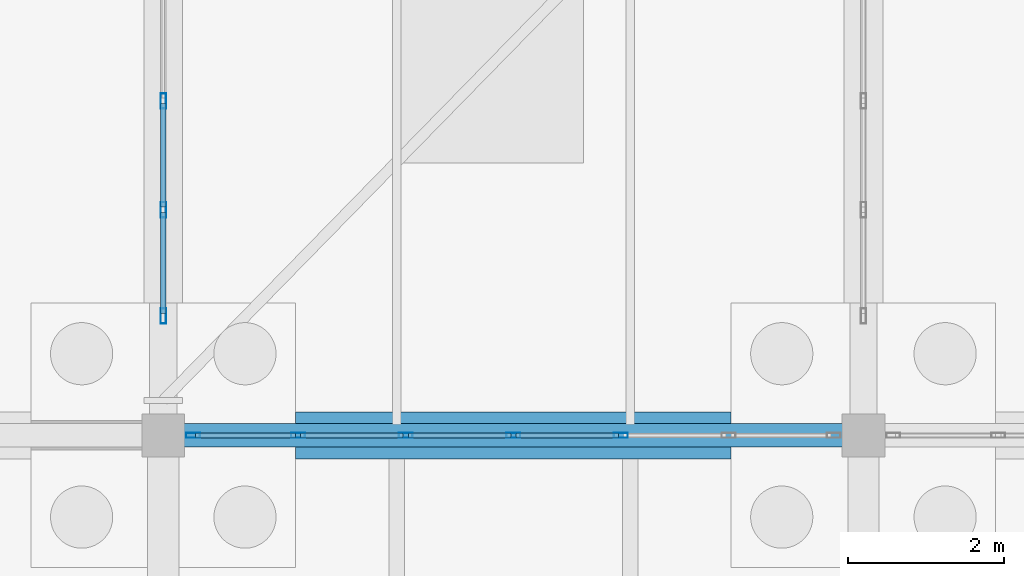
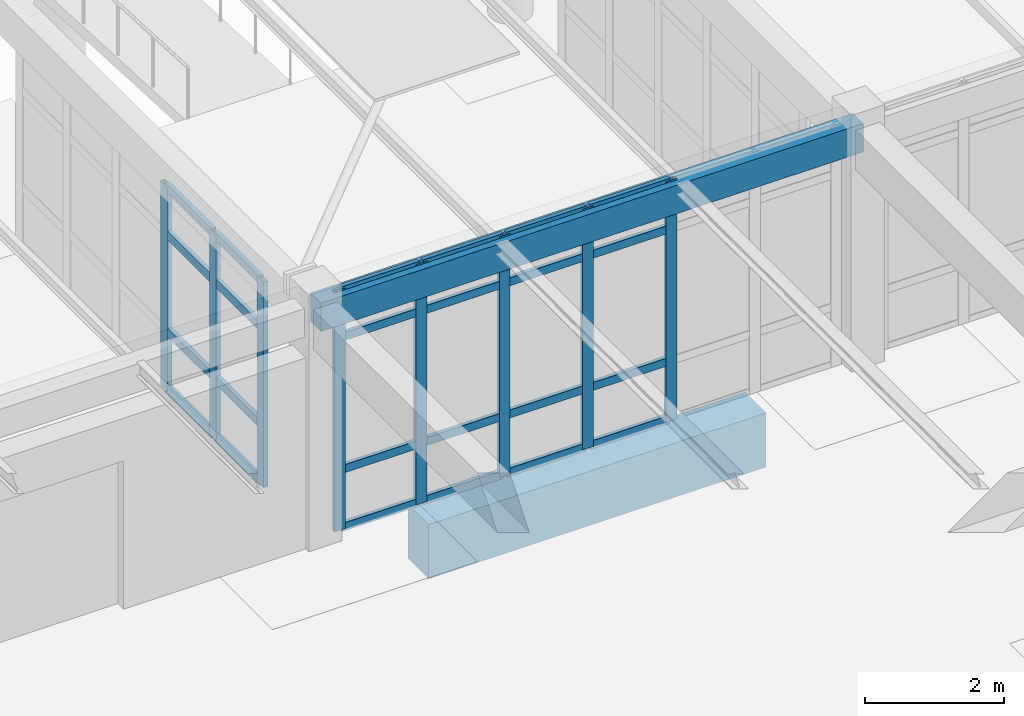
# One storey, part 65 of 186: 32 members, 2 beams, 2 elements without a shape of their own.
"""IFC4 building model written with IfcOpenShell, lengths in metres."""

from ifc_helpers import new_model, si_unit, direction, frame, origin, origin_2d, place, context, subcontext, project, spatial, rectangle, hollow_rectangle, extrude, material, layer, layer_set, material_profile, profile_set, type_object, element, aggregate, save


model = new_model("IFC4")

# Units and contexts
model_context = context("Model", 3, precision=1e-05, world=origin(), true_north=direction((0.0, 1.0)))
body_context = subcontext(model_context, "Body", "Model", "MODEL_VIEW")
ifc_project = project(units=[si_unit("LENGTHUNIT", "METRE"), si_unit("AREAUNIT", "SQUARE_METRE"), si_unit("VOLUMEUNIT", "CUBIC_METRE"), si_unit("PLANEANGLEUNIT", "RADIAN"), si_unit("MASSUNIT", "GRAM", prefix="KILO")], contexts=[model_context])

# Site, building, storey
site_placement = place(None, origin())
site = spatial("IfcSite", under=ifc_project, at=site_placement, CompositionType="ELEMENT")
building_placement = place(site_placement, origin())
building = spatial("IfcBuilding", under=site, at=building_placement, Name="Ornek Quay Market", CompositionType="ELEMENT")
storey_placement = place(building_placement, origin())
storey = spatial("IfcBuildingStorey", under=building, at=storey_placement, Name="L00", CompositionType="ELEMENT", Elevation=0.0)

# Beams
ifc_material_1 = material(Name="Concrete C35/45", Category="concrete")
ifc_material_profile_1 = material_profile(ifc_material_1, rectangle(XDim=0.60009765625, YDim=0.949951171875, at=origin_2d()), Name="RC 600x950", Category="concrete")
ifc_profile_set_1 = profile_set([ifc_material_profile_1], Name="Concrete C35/45")
beam_type_1 = type_object("IfcBeamType", Name="BM-GB-600x950", PredefinedType="BEAM", material=ifc_profile_set_1)
beam_1_placement = place(storey_placement, frame((10.699951171875, 110.0, -0.675048828125), z_axis=(1.0, 0.0, 0.0), x_axis=(0.0, 1.0, 0.0)))
element("IfcBeam", 1, at=beam_1_placement, inside=storey, type_object=beam_type_1, Name="Ground tie beam GB-043", PredefinedType="BEAM", context=body_context, shape_type="SweptSolid", body=[
    extrude(rectangle(XDim=0.60009765625, YDim=0.949951171875, at=origin_2d()), origin(), (0.0, 0.0, 1.0), 5.60009765625),
])
ifc_material_2 = material(Name="Concrete C40/50", Category="concrete")
ifc_material_profile_2 = material_profile(ifc_material_2, rectangle(XDim=0.300048828125, YDim=0.5, at=origin_2d()), Name="RC 300x500", Category="concrete")
ifc_profile_set_2 = profile_set([ifc_material_profile_2], Name="Concrete C40/50")
beam_type_2 = type_object("IfcBeamType", Name="BM-UMB-RIM-300x500", PredefinedType="SPANDREL", material=ifc_profile_set_2)
beam_2_placement = place(storey_placement, frame((9.0, 110.0, 3.93994140625), z_axis=(1.0, 0.0, 0.0), x_axis=(0.0, 1.0, 0.0)))
element("IfcBeam", 2, at=beam_2_placement, inside=storey, type_object=beam_type_2, Name="Primary beam B-UMR-002", PredefinedType="SPANDREL", context=body_context, shape_type="SweptSolid", body=[
    extrude(rectangle(XDim=0.300048828125, YDim=0.5, at=origin_2d()), origin(), (0.0, 0.0, 1.0), 9.0),
])

# Curtain wall, members
ifc_material_3 = material(Name="Anodised bronze aluminium and triple low-e glass", Category="aluminium")
ifc_layer_1 = layer(ifc_material_3, 0.179931640625, Name="Anodised bronze aluminium and triple low-e glass", Category="aluminium")
ifc_layer_set_1 = layer_set([ifc_layer_1], Name="Anodised bronze aluminium and triple low-e glass")
curtain_wall_type_1 = type_object("IfcCurtainWallType", Name="CW-CONC-MOD1500", PredefinedType="USERDEFINED", material=ifc_layer_set_1)
curtain_wall_1_placement = place(storey_placement, origin())
curtain_wall_1 = element("IfcCurtainWall", 3, at=curtain_wall_1_placement, inside=storey, type_object=curtain_wall_type_1, Name="Curtain wall CW-001", ObjectType="CURTAIN WALL", PredefinedType="USERDEFINED")
ifc_material_4 = material(Name="Anodised aluminium 6063-T6", Category="aluminium")
ifc_material_profile_3 = material_profile(ifc_material_4, hollow_rectangle(XDim=0.06494140625, YDim=0.179931640625, WallThickness=0.00439453125, at=origin_2d()), Name="CW-MUL-65x180", Category="aluminium")
ifc_profile_set_3 = profile_set([ifc_material_profile_3], Name="Anodised aluminium 6063-T6")
member_type_1 = type_object("IfcMemberType", Name="CW-MUL-65x180", PredefinedType="MULLION", material=ifc_profile_set_3)
member_1_placement = place(storey_placement, frame((9.382568359375, 110.0, 0.0), z_axis=(0.0, 0.0, 1.0), x_axis=(0.0, 1.0, 0.0)))
member_1 = element("IfcMember", 4, at=member_1_placement, type_object=member_type_1, Name="CW-001 mullion 1", PredefinedType="MULLION", context=body_context, shape_type="SweptSolid", body=[
    extrude(hollow_rectangle(XDim=0.06494140625, YDim=0.179931640625, WallThickness=0.00439453125, at=origin_2d()), origin(), (0.0, 0.0, 1.0), 4.219970703125),
])
member_2_placement = place(storey_placement, frame((10.7333984375, 110.0, 0.0), z_axis=(0.0, 0.0, 1.0), x_axis=(0.0, 1.0, 0.0)))
member_2 = element("IfcMember", 5, at=member_2_placement, type_object=member_type_1, Name="CW-001 mullion 2", PredefinedType="MULLION", context=body_context, shape_type="SweptSolid", body=[
    extrude(hollow_rectangle(XDim=0.06494140625, YDim=0.179931640625, WallThickness=0.00439453125, at=origin_2d()), origin(), (0.0, 0.0, 1.0), 4.219970703125),
])
member_3_placement = place(storey_placement, frame((12.11669921875, 110.0, 0.0), z_axis=(0.0, 0.0, 1.0), x_axis=(0.0, 1.0, 0.0)))
member_3 = element("IfcMember", 6, at=member_3_placement, type_object=member_type_1, Name="CW-001 mullion 3", PredefinedType="MULLION", context=body_context, shape_type="SweptSolid", body=[
    extrude(hollow_rectangle(XDim=0.06494140625, YDim=0.179931640625, WallThickness=0.00439453125, at=origin_2d()), origin(), (0.0, 0.0, 1.0), 4.219970703125),
])
member_4_placement = place(storey_placement, frame((13.5, 110.0, 0.0), z_axis=(0.0, 0.0, 1.0), x_axis=(0.0, 1.0, 0.0)))
member_4 = element("IfcMember", 7, at=member_4_placement, type_object=member_type_1, Name="CW-001 mullion 4", PredefinedType="MULLION", context=body_context, shape_type="SweptSolid", body=[
    extrude(hollow_rectangle(XDim=0.06494140625, YDim=0.179931640625, WallThickness=0.00439453125, at=origin_2d()), origin(), (0.0, 0.0, 1.0), 4.219970703125),
])
member_5_placement = place(storey_placement, frame((14.88330078125, 110.0, 0.0), z_axis=(0.0, 0.0, 1.0), x_axis=(0.0, 1.0, 0.0)))
member_5 = element("IfcMember", 8, at=member_5_placement, type_object=member_type_1, Name="CW-001 mullion 5", PredefinedType="MULLION", context=body_context, shape_type="SweptSolid", body=[
    extrude(hollow_rectangle(XDim=0.06494140625, YDim=0.179931640625, WallThickness=0.00439453125, at=origin_2d()), origin(), (0.0, 0.0, 1.0), 4.219970703125),
])

ifc_layer_2 = layer(ifc_material_3, 0.219970703125, Name="Anodised bronze aluminium and triple low-e glass", Category="aluminium")
ifc_layer_set_2 = layer_set([ifc_layer_2], Name="Anodised bronze aluminium and triple low-e glass")
curtain_wall_type_2 = type_object("IfcCurtainWallType", Name="CW-PORCH-MOD1500", PredefinedType="USERDEFINED", material=ifc_layer_set_2)
curtain_wall_2_placement = place(storey_placement, origin())
curtain_wall_2 = element("IfcCurtainWall", 9, at=curtain_wall_2_placement, inside=storey, type_object=curtain_wall_type_2, Name="Curtain wall CW-147", ObjectType="CURTAIN WALL", PredefinedType="USERDEFINED")
ifc_material_profile_4 = material_profile(ifc_material_4, hollow_rectangle(XDim=0.070068359375, YDim=0.199951171875, WallThickness=0.0048828125, at=origin_2d()), Name="CW-MUL-70x200", Category="aluminium")
ifc_profile_set_4 = profile_set([ifc_material_profile_4], Name="Anodised aluminium 6063-T6")
member_type_2 = type_object("IfcMemberType", Name="CW-MUL-70x200", PredefinedType="MULLION", material=ifc_profile_set_4)
member_6_placement = place(storey_placement, frame((9.0, 111.534912109375, 0.0), z_axis=(0.0, 0.0, 1.0), x_axis=(-1.0, 0.0, 0.0)))
member_6 = element("IfcMember", 10, at=member_6_placement, type_object=member_type_2, Name="CW-147 mullion 1", PredefinedType="MULLION", context=body_context, shape_type="SweptSolid", body=[
    extrude(hollow_rectangle(XDim=0.070068359375, YDim=0.199951171875, WallThickness=0.0048828125, at=origin_2d()), origin(), (0.0, 0.0, 1.0), 3.60009765625),
])
member_7_placement = place(storey_placement, frame((9.0, 112.89990234375, 0.0), z_axis=(0.0, 0.0, 1.0), x_axis=(-1.0, 0.0, 0.0)))
member_7 = element("IfcMember", 11, at=member_7_placement, type_object=member_type_2, Name="CW-147 mullion 2", PredefinedType="MULLION", context=body_context, shape_type="SweptSolid", body=[
    extrude(hollow_rectangle(XDim=0.070068359375, YDim=0.199951171875, WallThickness=0.0048828125, at=origin_2d()), origin(), (0.0, 0.0, 1.0), 3.60009765625),
])
member_8_placement = place(storey_placement, frame((9.0, 114.300048828125, 0.0), z_axis=(0.0, 0.0, 1.0), x_axis=(-1.0, 0.0, 0.0)))
member_8 = element("IfcMember", 12, at=member_8_placement, type_object=member_type_2, Name="CW-147 mullion 3", PredefinedType="MULLION", context=body_context, shape_type="SweptSolid", body=[
    extrude(hollow_rectangle(XDim=0.070068359375, YDim=0.199951171875, WallThickness=0.0048828125, at=origin_2d()), origin(), (0.0, 0.0, 1.0), 3.60009765625),
])

# Member
ifc_material_profile_5 = material_profile(ifc_material_4, hollow_rectangle(XDim=0.06494140625, YDim=0.139892578125, WallThickness=0.00439453125, at=origin_2d()), Name="CW-TRN-65x140", Category="aluminium")
ifc_profile_set_5 = profile_set([ifc_material_profile_5], Name="Anodised aluminium 6063-T6")
member_type_3 = type_object("IfcMemberType", Name="CW-TRN-65x140", PredefinedType="USERDEFINED", material=ifc_profile_set_5)
member_9_placement = place(storey_placement, frame((9.4150390625, 110.0, 0.032470703125), z_axis=(1.0, 0.0, 0.0), x_axis=(0.0, 1.0, 0.0)))
member_9 = element("IfcMember", 13, at=member_9_placement, type_object=member_type_3, Name="CW-001 transom 1.1", ObjectType="TRANSOM", PredefinedType="USERDEFINED", context=body_context, shape_type="SweptSolid", body=[
    extrude(hollow_rectangle(XDim=0.06494140625, YDim=0.139892578125, WallThickness=0.00439453125, at=origin_2d()), origin(), (0.0, 0.0, 1.0), 1.285888671875),
])

member_10_placement = place(storey_placement, frame((9.4150390625, 110.0, 1.050048828125), z_axis=(1.0, 0.0, 0.0), x_axis=(0.0, 1.0, 0.0)))
member_10 = element("IfcMember", 14, at=member_10_placement, type_object=member_type_3, Name="CW-001 transom 1.2", ObjectType="TRANSOM", PredefinedType="USERDEFINED", context=body_context, shape_type="SweptSolid", body=[
    extrude(hollow_rectangle(XDim=0.06494140625, YDim=0.139892578125, WallThickness=0.00439453125, at=origin_2d()), origin(), (0.0, 0.0, 1.0), 1.285888671875),
])

member_11_placement = place(storey_placement, frame((9.4150390625, 110.0, 3.3701171875), z_axis=(1.0, 0.0, 0.0), x_axis=(0.0, 1.0, 0.0)))
member_11 = element("IfcMember", 15, at=member_11_placement, type_object=member_type_3, Name="CW-001 transom 1.3", ObjectType="TRANSOM", PredefinedType="USERDEFINED", context=body_context, shape_type="SweptSolid", body=[
    extrude(hollow_rectangle(XDim=0.06494140625, YDim=0.139892578125, WallThickness=0.00439453125, at=origin_2d()), origin(), (0.0, 0.0, 1.0), 1.285888671875),
])

member_12_placement = place(storey_placement, frame((9.4150390625, 110.0, 4.1875), z_axis=(1.0, 0.0, 0.0), x_axis=(0.0, 1.0, 0.0)))
member_12 = element("IfcMember", 16, at=member_12_placement, type_object=member_type_3, Name="CW-001 transom 1.4", ObjectType="TRANSOM", PredefinedType="USERDEFINED", context=body_context, shape_type="SweptSolid", body=[
    extrude(hollow_rectangle(XDim=0.06494140625, YDim=0.139892578125, WallThickness=0.00439453125, at=origin_2d()), origin(), (0.0, 0.0, 1.0), 1.285888671875),
])

member_13_placement = place(storey_placement, frame((10.765869140625, 110.0, 0.032470703125), z_axis=(1.0, 0.0, 0.0), x_axis=(0.0, 1.0, 0.0)))
member_13 = element("IfcMember", 17, at=member_13_placement, type_object=member_type_3, Name="CW-001 transom 2.1", ObjectType="TRANSOM", PredefinedType="USERDEFINED", context=body_context, shape_type="SweptSolid", body=[
    extrude(hollow_rectangle(XDim=0.06494140625, YDim=0.139892578125, WallThickness=0.00439453125, at=origin_2d()), origin(), (0.0, 0.0, 1.0), 1.318359375),
])

member_14_placement = place(storey_placement, frame((10.765869140625, 110.0, 1.050048828125), z_axis=(1.0, 0.0, 0.0), x_axis=(0.0, 1.0, 0.0)))
member_14 = element("IfcMember", 18, at=member_14_placement, type_object=member_type_3, Name="CW-001 transom 2.2", ObjectType="TRANSOM", PredefinedType="USERDEFINED", context=body_context, shape_type="SweptSolid", body=[
    extrude(hollow_rectangle(XDim=0.06494140625, YDim=0.139892578125, WallThickness=0.00439453125, at=origin_2d()), origin(), (0.0, 0.0, 1.0), 1.318359375),
])

member_15_placement = place(storey_placement, frame((10.765869140625, 110.0, 3.3701171875), z_axis=(1.0, 0.0, 0.0), x_axis=(0.0, 1.0, 0.0)))
member_15 = element("IfcMember", 19, at=member_15_placement, type_object=member_type_3, Name="CW-001 transom 2.3", ObjectType="TRANSOM", PredefinedType="USERDEFINED", context=body_context, shape_type="SweptSolid", body=[
    extrude(hollow_rectangle(XDim=0.06494140625, YDim=0.139892578125, WallThickness=0.00439453125, at=origin_2d()), origin(), (0.0, 0.0, 1.0), 1.318359375),
])

member_16_placement = place(storey_placement, frame((10.765869140625, 110.0, 4.1875), z_axis=(1.0, 0.0, 0.0), x_axis=(0.0, 1.0, 0.0)))
member_16 = element("IfcMember", 20, at=member_16_placement, type_object=member_type_3, Name="CW-001 transom 2.4", ObjectType="TRANSOM", PredefinedType="USERDEFINED", context=body_context, shape_type="SweptSolid", body=[
    extrude(hollow_rectangle(XDim=0.06494140625, YDim=0.139892578125, WallThickness=0.00439453125, at=origin_2d()), origin(), (0.0, 0.0, 1.0), 1.318359375),
])

member_17_placement = place(storey_placement, frame((12.149169921875, 110.0, 0.032470703125), z_axis=(1.0, 0.0, 0.0), x_axis=(0.0, 1.0, 0.0)))
member_17 = element("IfcMember", 21, at=member_17_placement, type_object=member_type_3, Name="CW-001 transom 3.1", ObjectType="TRANSOM", PredefinedType="USERDEFINED", context=body_context, shape_type="SweptSolid", body=[
    extrude(hollow_rectangle(XDim=0.06494140625, YDim=0.139892578125, WallThickness=0.00439453125, at=origin_2d()), origin(), (0.0, 0.0, 1.0), 1.318359375),
])

member_18_placement = place(storey_placement, frame((12.149169921875, 110.0, 1.050048828125), z_axis=(1.0, 0.0, 0.0), x_axis=(0.0, 1.0, 0.0)))
member_18 = element("IfcMember", 22, at=member_18_placement, type_object=member_type_3, Name="CW-001 transom 3.2", ObjectType="TRANSOM", PredefinedType="USERDEFINED", context=body_context, shape_type="SweptSolid", body=[
    extrude(hollow_rectangle(XDim=0.06494140625, YDim=0.139892578125, WallThickness=0.00439453125, at=origin_2d()), origin(), (0.0, 0.0, 1.0), 1.318359375),
])

member_19_placement = place(storey_placement, frame((12.149169921875, 110.0, 3.3701171875), z_axis=(1.0, 0.0, 0.0), x_axis=(0.0, 1.0, 0.0)))
member_19 = element("IfcMember", 23, at=member_19_placement, type_object=member_type_3, Name="CW-001 transom 3.3", ObjectType="TRANSOM", PredefinedType="USERDEFINED", context=body_context, shape_type="SweptSolid", body=[
    extrude(hollow_rectangle(XDim=0.06494140625, YDim=0.139892578125, WallThickness=0.00439453125, at=origin_2d()), origin(), (0.0, 0.0, 1.0), 1.318359375),
])

member_20_placement = place(storey_placement, frame((12.149169921875, 110.0, 4.1875), z_axis=(1.0, 0.0, 0.0), x_axis=(0.0, 1.0, 0.0)))
member_20 = element("IfcMember", 24, at=member_20_placement, type_object=member_type_3, Name="CW-001 transom 3.4", ObjectType="TRANSOM", PredefinedType="USERDEFINED", context=body_context, shape_type="SweptSolid", body=[
    extrude(hollow_rectangle(XDim=0.06494140625, YDim=0.139892578125, WallThickness=0.00439453125, at=origin_2d()), origin(), (0.0, 0.0, 1.0), 1.318359375),
])

member_21_placement = place(storey_placement, frame((13.532470703125, 110.0, 0.032470703125), z_axis=(1.0, 0.0, 0.0), x_axis=(0.0, 1.0, 0.0)))
member_21 = element("IfcMember", 25, at=member_21_placement, type_object=member_type_3, Name="CW-001 transom 4.1", ObjectType="TRANSOM", PredefinedType="USERDEFINED", context=body_context, shape_type="SweptSolid", body=[
    extrude(hollow_rectangle(XDim=0.06494140625, YDim=0.139892578125, WallThickness=0.00439453125, at=origin_2d()), origin(), (0.0, 0.0, 1.0), 1.318359375),
])

member_22_placement = place(storey_placement, frame((13.532470703125, 110.0, 1.050048828125), z_axis=(1.0, 0.0, 0.0), x_axis=(0.0, 1.0, 0.0)))
member_22 = element("IfcMember", 26, at=member_22_placement, type_object=member_type_3, Name="CW-001 transom 4.2", ObjectType="TRANSOM", PredefinedType="USERDEFINED", context=body_context, shape_type="SweptSolid", body=[
    extrude(hollow_rectangle(XDim=0.06494140625, YDim=0.139892578125, WallThickness=0.00439453125, at=origin_2d()), origin(), (0.0, 0.0, 1.0), 1.318359375),
])

member_23_placement = place(storey_placement, frame((13.532470703125, 110.0, 3.3701171875), z_axis=(1.0, 0.0, 0.0), x_axis=(0.0, 1.0, 0.0)))
member_23 = element("IfcMember", 27, at=member_23_placement, type_object=member_type_3, Name="CW-001 transom 4.3", ObjectType="TRANSOM", PredefinedType="USERDEFINED", context=body_context, shape_type="SweptSolid", body=[
    extrude(hollow_rectangle(XDim=0.06494140625, YDim=0.139892578125, WallThickness=0.00439453125, at=origin_2d()), origin(), (0.0, 0.0, 1.0), 1.318359375),
])

member_24_placement = place(storey_placement, frame((13.532470703125, 110.0, 4.1875), z_axis=(1.0, 0.0, 0.0), x_axis=(0.0, 1.0, 0.0)))
member_24 = element("IfcMember", 28, at=member_24_placement, type_object=member_type_3, Name="CW-001 transom 4.4", ObjectType="TRANSOM", PredefinedType="USERDEFINED", context=body_context, shape_type="SweptSolid", body=[
    extrude(hollow_rectangle(XDim=0.06494140625, YDim=0.139892578125, WallThickness=0.00439453125, at=origin_2d()), origin(), (0.0, 0.0, 1.0), 1.318359375),
])

aggregate(curtain_wall_1, [member_1, member_2, member_3, member_4, member_5, member_9, member_10, member_11, member_12, member_13, member_14, member_15, member_16, member_17, member_18, member_19, member_20, member_21, member_22, member_23, member_24])

ifc_material_profile_6 = material_profile(ifc_material_4, hollow_rectangle(XDim=0.070068359375, YDim=0.14990234375, WallThickness=0.0048828125, at=origin_2d()), Name="CW-TRN-70x150", Category="aluminium")
ifc_profile_set_6 = profile_set([ifc_material_profile_6], Name="Anodised aluminium 6063-T6")
member_type_4 = type_object("IfcMemberType", Name="CW-TRN-70x150", PredefinedType="USERDEFINED", material=ifc_profile_set_6)
member_25_placement = place(storey_placement, frame((9.0, 111.570068359375, 0.034912109375), z_axis=(0.0, 1.0, 0.0), x_axis=(-1.0, 0.0, 0.0)))
member_25 = element("IfcMember", 29, at=member_25_placement, type_object=member_type_4, Name="CW-147 transom 1.1", ObjectType="TRANSOM", PredefinedType="USERDEFINED", context=body_context, shape_type="SweptSolid", body=[
    extrude(hollow_rectangle(XDim=0.070068359375, YDim=0.14990234375, WallThickness=0.0048828125, at=origin_2d()), origin(), (0.0, 0.0, 1.0), 1.294921875),
])

member_26_placement = place(storey_placement, frame((9.0, 111.570068359375, 1.050048828125), z_axis=(0.0, 1.0, 0.0), x_axis=(-1.0, 0.0, 0.0)))
member_26 = element("IfcMember", 30, at=member_26_placement, type_object=member_type_4, Name="CW-147 transom 1.2", ObjectType="TRANSOM", PredefinedType="USERDEFINED", context=body_context, shape_type="SweptSolid", body=[
    extrude(hollow_rectangle(XDim=0.070068359375, YDim=0.14990234375, WallThickness=0.0048828125, at=origin_2d()), origin(), (0.0, 0.0, 1.0), 1.294921875),
])

member_27_placement = place(storey_placement, frame((9.0, 111.570068359375, 2.75), z_axis=(0.0, 1.0, 0.0), x_axis=(-1.0, 0.0, 0.0)))
member_27 = element("IfcMember", 31, at=member_27_placement, type_object=member_type_4, Name="CW-147 transom 1.3", ObjectType="TRANSOM", PredefinedType="USERDEFINED", context=body_context, shape_type="SweptSolid", body=[
    extrude(hollow_rectangle(XDim=0.070068359375, YDim=0.14990234375, WallThickness=0.0048828125, at=origin_2d()), origin(), (0.0, 0.0, 1.0), 1.294921875),
])

member_28_placement = place(storey_placement, frame((9.0, 111.570068359375, 3.56494140625), z_axis=(0.0, 1.0, 0.0), x_axis=(-1.0, 0.0, 0.0)))
member_28 = element("IfcMember", 32, at=member_28_placement, type_object=member_type_4, Name="CW-147 transom 1.4", ObjectType="TRANSOM", PredefinedType="USERDEFINED", context=body_context, shape_type="SweptSolid", body=[
    extrude(hollow_rectangle(XDim=0.070068359375, YDim=0.14990234375, WallThickness=0.0048828125, at=origin_2d()), origin(), (0.0, 0.0, 1.0), 1.294921875),
])

member_29_placement = place(storey_placement, frame((9.0, 112.93505859375, 0.034912109375), z_axis=(0.0, 1.0, 0.0), x_axis=(-1.0, 0.0, 0.0)))
member_29 = element("IfcMember", 33, at=member_29_placement, type_object=member_type_4, Name="CW-147 transom 2.1", ObjectType="TRANSOM", PredefinedType="USERDEFINED", context=body_context, shape_type="SweptSolid", body=[
    extrude(hollow_rectangle(XDim=0.070068359375, YDim=0.14990234375, WallThickness=0.0048828125, at=origin_2d()), origin(), (0.0, 0.0, 1.0), 1.329833984375),
])

member_30_placement = place(storey_placement, frame((9.0, 112.93505859375, 1.050048828125), z_axis=(0.0, 1.0, 0.0), x_axis=(-1.0, 0.0, 0.0)))
member_30 = element("IfcMember", 34, at=member_30_placement, type_object=member_type_4, Name="CW-147 transom 2.2", ObjectType="TRANSOM", PredefinedType="USERDEFINED", context=body_context, shape_type="SweptSolid", body=[
    extrude(hollow_rectangle(XDim=0.070068359375, YDim=0.14990234375, WallThickness=0.0048828125, at=origin_2d()), origin(), (0.0, 0.0, 1.0), 1.329833984375),
])

member_31_placement = place(storey_placement, frame((9.0, 112.93505859375, 2.75), z_axis=(0.0, 1.0, 0.0), x_axis=(-1.0, 0.0, 0.0)))
member_31 = element("IfcMember", 35, at=member_31_placement, type_object=member_type_4, Name="CW-147 transom 2.3", ObjectType="TRANSOM", PredefinedType="USERDEFINED", context=body_context, shape_type="SweptSolid", body=[
    extrude(hollow_rectangle(XDim=0.070068359375, YDim=0.14990234375, WallThickness=0.0048828125, at=origin_2d()), origin(), (0.0, 0.0, 1.0), 1.329833984375),
])

member_32_placement = place(storey_placement, frame((9.0, 112.93505859375, 3.56494140625), z_axis=(0.0, 1.0, 0.0), x_axis=(-1.0, 0.0, 0.0)))
member_32 = element("IfcMember", 36, at=member_32_placement, type_object=member_type_4, Name="CW-147 transom 2.4", ObjectType="TRANSOM", PredefinedType="USERDEFINED", context=body_context, shape_type="SweptSolid", body=[
    extrude(hollow_rectangle(XDim=0.070068359375, YDim=0.14990234375, WallThickness=0.0048828125, at=origin_2d()), origin(), (0.0, 0.0, 1.0), 1.329833984375),
])

aggregate(curtain_wall_2, [member_6, member_7, member_8, member_25, member_26, member_27, member_28, member_29, member_30, member_31, member_32])

save(model, "model.ifc")
